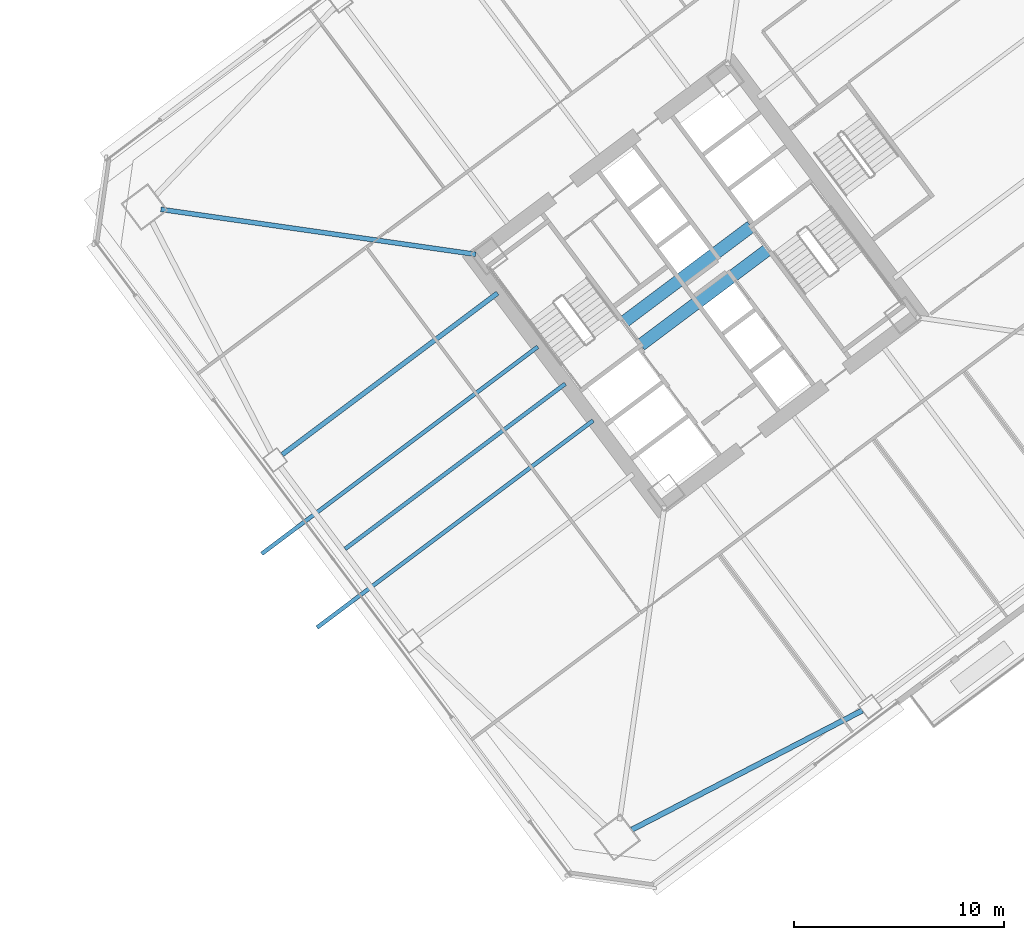
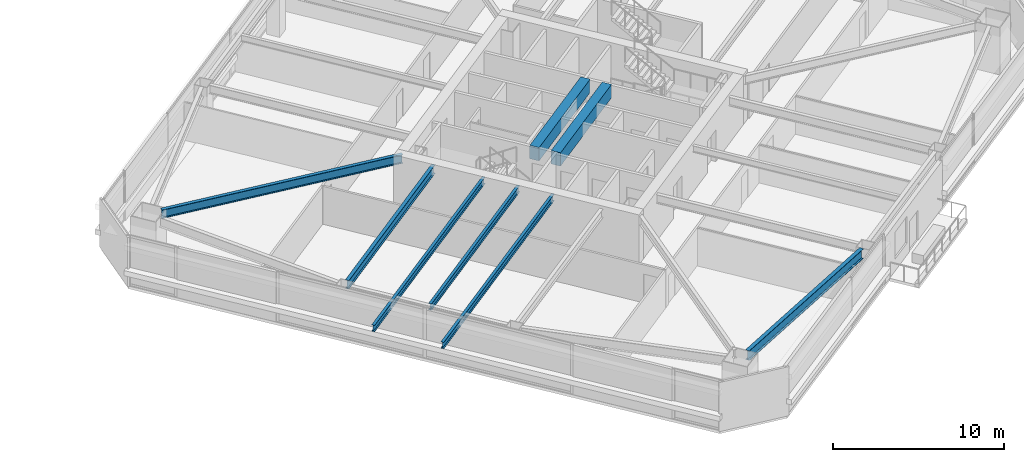
# One storey, part 24 of 48: 8 beams.
"""IFC4 building model written with IfcOpenShell, lengths in metres."""

from ifc_helpers import new_model, si_unit, direction, frame, origin, origin_2d, place, context, subcontext, project, spatial, rectangle, i_section, extrude, material, material_profile, profile_set, type_object, element, save


model = new_model("IFC4")

# Units and contexts
model_context = context("Model", 3, precision=1e-05, world=origin(), true_north=direction((0.0, 1.0)))
body_context = subcontext(model_context, "Body", "Model", "MODEL_VIEW")
ifc_project = project(units=[si_unit("LENGTHUNIT", "METRE"), si_unit("AREAUNIT", "SQUARE_METRE"), si_unit("VOLUMEUNIT", "CUBIC_METRE"), si_unit("PLANEANGLEUNIT", "RADIAN"), si_unit("MASSUNIT", "GRAM", prefix="KILO")], contexts=[model_context])

# Site, building, storey
site_placement = place(None, origin())
site = spatial("IfcSite", under=ifc_project, at=site_placement, CompositionType="ELEMENT")
building_placement = place(site_placement, origin())
building = spatial("IfcBuilding", under=site, at=building_placement, Name="Tashvorn Skyway Center", CompositionType="ELEMENT")
storey_placement = place(building_placement, frame((0.0, 0.0, 53.0)))
storey = spatial("IfcBuildingStorey", under=building, at=storey_placement, Name="L13", CompositionType="ELEMENT", Elevation=53.0)

# Beams
ifc_material_1 = material(Name="Steel ASTM A992 Grade 50", Category="steel")
ifc_material_profile_1 = material_profile(ifc_material_1, i_section(OverallWidth=0.22998046875, OverallDepth=0.616943359375, WebThickness=0.01318359375, FlangeThickness=0.022216796875, at=origin_2d()), Name="W24X94")
ifc_profile_set_1 = profile_set([ifc_material_profile_1], Name="Steel ASTM A992 Grade 50")
beam_type_1 = type_object("IfcBeamType", Name="BM-BEAM-W24X94", PredefinedType="BEAM", material=ifc_profile_set_1)
beam_1_placement = place(storey_placement, frame((88.467041015625, 35.6474609375, 3.04150390625), z_axis=(0.989950458816, -0.141414599991, 0.0), x_axis=(0.141414599991, 0.989950458816, 0.0)))
element("IfcBeam", 1, at=beam_1_placement, inside=storey, type_object=beam_type_1, Name="Tower 2 L13 Primary Floor Girder MC-NW", PredefinedType="BEAM", context=body_context, shape_type="SweptSolid", body=[
    extrude(i_section(OverallWidth=0.22998046875, OverallDepth=0.616943359375, WebThickness=0.01318359375, FlangeThickness=0.022216796875, at=origin_2d()), origin(), (0.0, 0.0, 1.0), 15.177001953125),
])
beam_2_placement = place(storey_placement, frame((94.256103515625, 23.94189453125, 3.04150390625), z_axis=(0.799986320265, 0.600018239213, 0.0), x_axis=(-0.600018239213, 0.799986320265, 0.0)))
element("IfcBeam", 2, at=beam_2_placement, inside=storey, type_object=beam_type_1, Name="Tower 2 L13 Primary Floor Girder FC-W1", PredefinedType="BEAM", context=body_context, shape_type="SweptSolid", body=[
    extrude(i_section(OverallWidth=0.22998046875, OverallDepth=0.616943359375, WebThickness=0.01318359375, FlangeThickness=0.022216796875, at=origin_2d()), origin(), (0.0, 0.0, 1.0), 12.849853515625),
])
ifc_material_profile_2 = material_profile(ifc_material_1, i_section(OverallWidth=0.19091796875, OverallDepth=0.4599609375, WebThickness=0.010009765625, FlangeThickness=0.01611328125, at=origin_2d()), Name="W18X55")
ifc_profile_set_2 = profile_set([ifc_material_profile_2], Name="Steel ASTM A992 Grade 50")
beam_type_2 = type_object("IfcBeamType", Name="BM-JOIST-W18X55", PredefinedType="JOIST", material=ifc_profile_set_2)
beam_3_placement = place(storey_placement, frame((107.76806640625, 27.325927734375, 3.1201171875), z_axis=(-0.799997770398, -0.600002972791, 0.0), x_axis=(0.600002972791, -0.799997770398, 0.0)))
element("IfcBeam", 3, at=beam_3_placement, inside=storey, type_object=beam_type_2, Name="Tower 2 L13 Secondary Composite Joist JW", PredefinedType="JOIST", context=body_context, shape_type="SweptSolid", body=[
    extrude(i_section(OverallWidth=0.19091796875, OverallDepth=0.4599609375, WebThickness=0.010009765625, FlangeThickness=0.01611328125, at=origin_2d()), origin(), (0.0, 0.0, 1.0), 13.139892578125),
])
for number, where, z_axis, x_axis, name in (
    (4, (109.095947265625, 25.572021484375, 3.1201171875), (-0.799998221201, -0.600002371724, 0.0), (0.600002371724, -0.799998221201, 0.0), "Tower 2 L14 Terrace Cantilever Outlooker 1"),
    (5, (106.4560546875, 29.092041015625, 3.1201171875), (-0.799998221201, -0.600002371724, 0.0), (0.600002371724, -0.799998221201, 0.0), "Tower 2 L14 Terrace Cantilever Outlooker 2"),
):
    element("IfcBeam", number, at=place(storey_placement, frame(where, z_axis=z_axis, x_axis=x_axis)), inside=storey, type_object=beam_type_2, Name=name, PredefinedType="JOIST", context=body_context, shape_type="SweptSolid", body=[
        extrude(i_section(OverallWidth=0.19091796875, OverallDepth=0.4599609375, WebThickness=0.010009765625, FlangeThickness=0.01611328125, at=origin_2d()), origin(), (0.0, 0.0, 1.0), 16.469970703125),
    ])
ifc_material_2 = material(Name="Concrete C60/75", Category="concrete")
ifc_material_profile_3 = material_profile(ifc_material_2, rectangle(XDim=0.60009765625, YDim=0.949951171875, at=origin_2d()), Name="RCB600x950")
ifc_profile_set_3 = profile_set([ifc_material_profile_3], Name="Concrete C60/75")
beam_type_3 = type_object("IfcBeamType", Name="BM-LINTEL-RCB600x950", PredefinedType="LINTEL", material=ifc_profile_set_3)
for number, where, z_axis, x_axis, name in (
    (6, (110.552001953125, 30.263916015625, 2.875), (0.8, 0.6, 0.0), (-0.6, 0.8, 0.0), "Tower 2 L13 Core Coupling Beam CN"),
    (7, (111.367919921875, 29.176025390625, 2.875), (0.8, 0.6, 0.0), (-0.6, 0.8, 0.0), "Tower 2 L13 Core Coupling Beam CS"),
):
    element("IfcBeam", number, at=place(storey_placement, frame(where, z_axis=z_axis, x_axis=x_axis)), inside=storey, type_object=beam_type_3, Name=name, PredefinedType="LINTEL", context=body_context, shape_type="SweptSolid", body=[
        extrude(rectangle(XDim=0.60009765625, YDim=0.949951171875, at=origin_2d()), origin(), (0.0, 0.0, 1.0), 7.60009765625),
    ])
ifc_material_profile_4 = material_profile(ifc_material_1, i_section(OverallWidth=0.256103515625, OverallDepth=0.693115234375, WebThickness=0.014404296875, FlangeThickness=0.023681640625, at=origin_2d()), Name="W27X114")
ifc_profile_set_4 = profile_set([ifc_material_profile_4], Name="Steel ASTM A992 Grade 50")
beam_type_4 = type_object("IfcBeamType", Name="BM-SPANDREL-W27X114", PredefinedType="SPANDREL", material=ifc_profile_set_4)
beam_4_placement = place(storey_placement, frame((110.9462890625, 6.045166015625, 3.00341796875), z_axis=(0.888315637339, 0.459233413919, 0.0), x_axis=(-0.459233413919, 0.888315637339, 0.0)))
element("IfcBeam", 8, at=beam_4_placement, inside=storey, type_object=beam_type_4, Name="Tower 2 L13 Spandrel Beam 01", PredefinedType="SPANDREL", context=body_context, shape_type="SweptSolid", body=[
    extrude(i_section(OverallWidth=0.256103515625, OverallDepth=0.693115234375, WebThickness=0.014404296875, FlangeThickness=0.023681640625, at=origin_2d()), origin(), (0.0, 0.0, 1.0), 12.37255859375),
])

save(model, "model.ifc")
